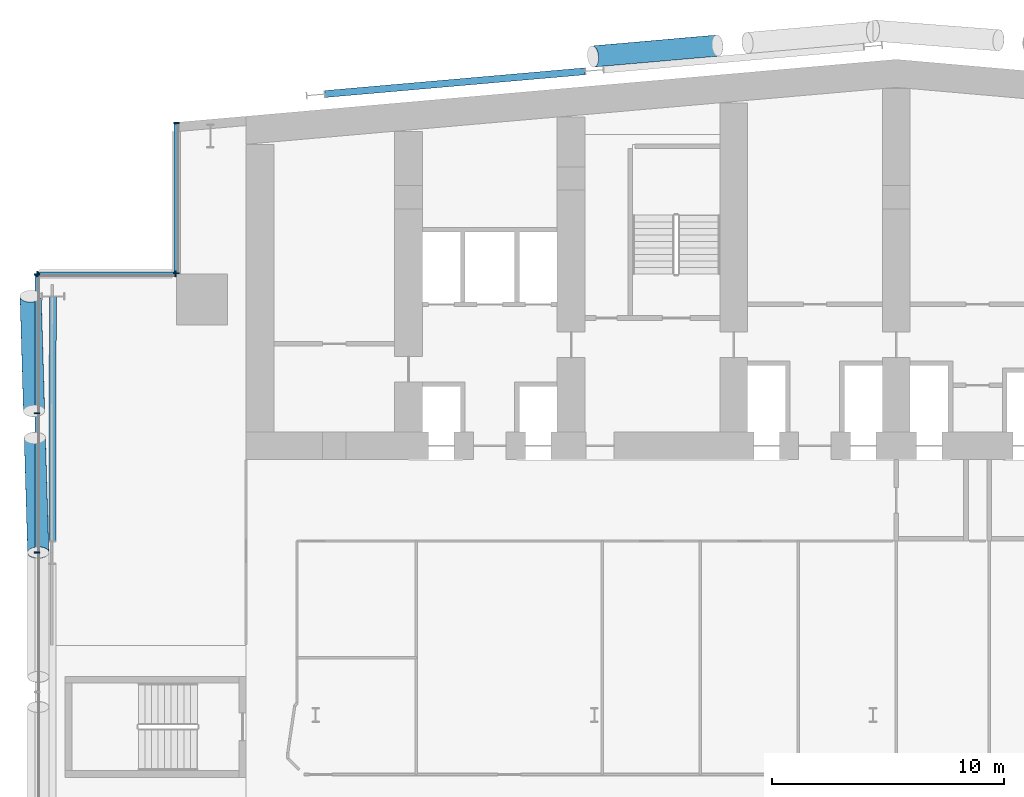
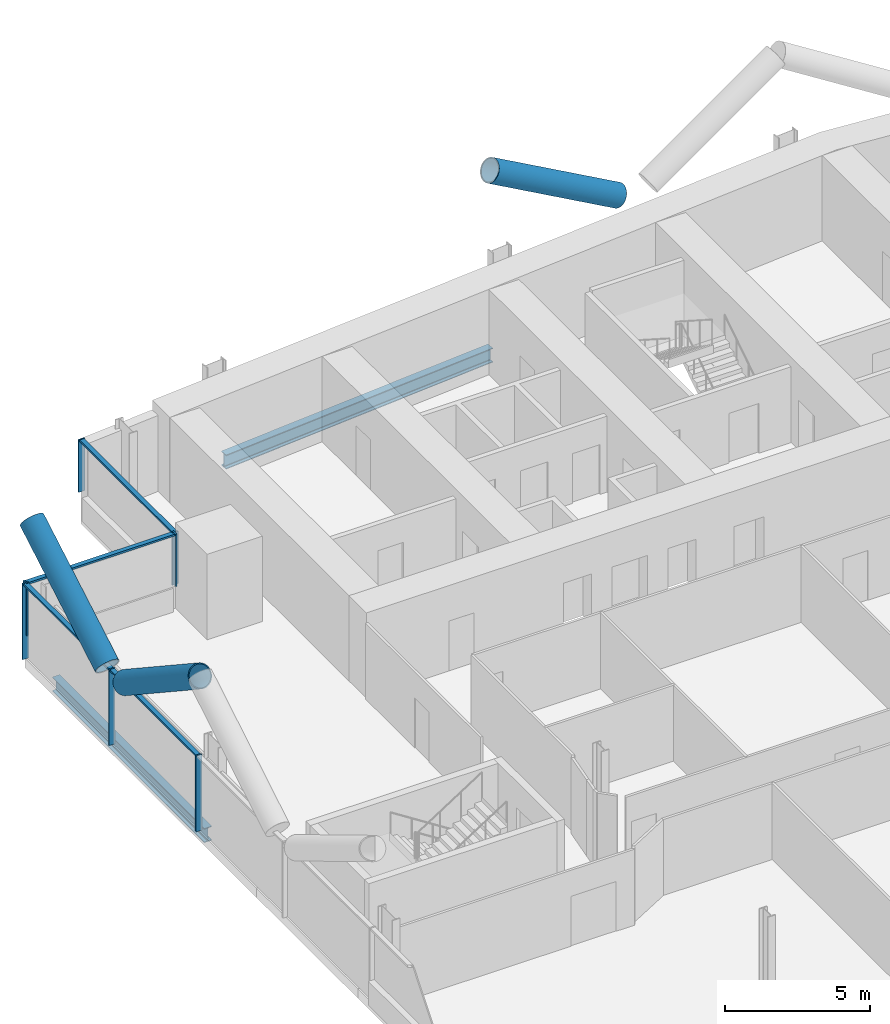
# One storey, part 7 of 27: 14 members, 2 beams, 3 elements without a shape of their own.
"""IFC4 building model written with IfcOpenShell, lengths in metres."""

from ifc_helpers import new_model, si_unit, direction, frame, origin, origin_2d, place, context, subcontext, project, spatial, rectangle, hollow_circle, i_section, extrude, material, material_profile, profile_set, type_object, element, aggregate, save


model = new_model("IFC4")

# Units and contexts
model_context = context("Model", 3, precision=1e-05, world=origin(), true_north=direction((0.0, 1.0)))
body_context = subcontext(model_context, "Body", "Model", "MODEL_VIEW")
ifc_project = project(units=[si_unit("LENGTHUNIT", "METRE"), si_unit("AREAUNIT", "SQUARE_METRE"), si_unit("VOLUMEUNIT", "CUBIC_METRE"), si_unit("PLANEANGLEUNIT", "RADIAN"), si_unit("MASSUNIT", "GRAM", prefix="KILO")], contexts=[model_context])

# Site, building, storey
site_placement = place(None, origin())
site = spatial("IfcSite", under=ifc_project, at=site_placement, CompositionType="ELEMENT")
building_placement = place(site_placement, origin())
building = spatial("IfcBuilding", under=site, at=building_placement, Name="Wharfspan Tower", CompositionType="ELEMENT")
storey_placement = place(building_placement, frame((0.0, 0.0, 55.899902)))
storey = spatial("IfcBuildingStorey", under=building, at=storey_placement, Name="L10", CompositionType="ELEMENT", Elevation=55.899902)

# Beams
ifc_material_1 = material(Name="Steel S355J2", Category="steel")
ifc_material_profile_1 = material_profile(ifc_material_1, i_section(OverallWidth=0.300049, OverallDepth=0.600098, WebThickness=0.015381, FlangeThickness=0.030029, FilletRadius=0.0271, at=origin_2d()))
ifc_profile_set_1 = profile_set([ifc_material_profile_1], Name="Steel S355J2")
beam_type = type_object("IfcBeamType", Name="Edge beam HEB 600", PredefinedType="SPANDREL", material=ifc_profile_set_1)
beam_1_placement = place(storey_placement, frame((23.598633, 50.724609, -0.699951), z_axis=(-0.996194, -0.087165, 0.0), x_axis=(0.087165, -0.996194, 0.0)))
element("IfcBeam", 1, at=beam_1_placement, inside=storey, type_object=beam_type, Name="Edge beam N1 L10 R.2 to R.1", PredefinedType="SPANDREL", context=body_context, shape_type="SweptSolid", body=[
    extrude(i_section(OverallWidth=0.300049, OverallDepth=0.600098, WebThickness=0.015381, FlangeThickness=0.030029, FilletRadius=0.0271, at=origin_2d()), origin(), (0.0, 0.0, 1.0), 11.23999),
])
beam_2_placement = place(storey_placement, frame((0.684814, 41.027832, -0.699951), z_axis=(-0.002249, -0.999997, 0.0), x_axis=(0.999997, -0.002249, 0.0)))
element("IfcBeam", 2, at=beam_2_placement, inside=storey, type_object=beam_type, Name="Edge beam W L10 PNRW-H.1 to PW.1", PredefinedType="SPANDREL", context=body_context, shape_type="SweptSolid", body=[
    extrude(i_section(OverallWidth=0.300049, OverallDepth=0.600098, WebThickness=0.015381, FlangeThickness=0.030029, FilletRadius=0.0271, at=origin_2d()), origin(), (0.0, 0.0, 1.0), 10.527832),
])

# Curtain wall, members
ifc_material_2 = material(Name="Aluminium 6063-T6", Category="aluminium")
curtain_wall_type = type_object("IfcCurtainWallType", Name="CURTAIN WALL PROW AND END", PredefinedType="NOTDEFINED", material=ifc_material_2)
curtain_wall_1_placement = place(storey_placement, origin())
curtain_wall_1 = element("IfcCurtainWall", 3, at=curtain_wall_1_placement, inside=storey, type_object=curtain_wall_type, Name="Curtain wall NRW-V", PredefinedType="NOTDEFINED")
ifc_material_profile_2 = material_profile(ifc_material_2, rectangle(XDim=0.23999, YDim=0.060059, at=origin_2d()))
ifc_profile_set_2 = profile_set([ifc_material_profile_2], Name="Aluminium 6063-T6")
member_type_1 = type_object("IfcMemberType", Name="MULLION PROW AND END 60x240", PredefinedType="MULLION", material=ifc_profile_set_2)
member_1_placement = place(storey_placement, frame((6.0, 48.494873, 1.0), z_axis=(0.0, 0.0, 1.0), x_axis=(1.0, 0.0, 0.0)))
member_1 = element("IfcMember", 4, at=member_1_placement, type_object=member_type_1, Name="Curtain wall NRW-V mullion 1", PredefinedType="MULLION", context=body_context, shape_type="SweptSolid", body=[
    extrude(rectangle(XDim=0.23999, YDim=0.060059, at=origin_2d()), origin(), (0.0, 0.0, 1.0), 2.200195),
])
member_2_placement = place(storey_placement, frame((6.0, 42.030029, 1.0), z_axis=(0.0, 0.0, 1.0), x_axis=(1.0, 0.0, 0.0)))
member_2 = element("IfcMember", 5, at=member_2_placement, type_object=member_type_1, Name="Curtain wall NRW-V mullion 2", PredefinedType="MULLION", context=body_context, shape_type="SweptSolid", body=[
    extrude(rectangle(XDim=0.23999, YDim=0.060059, at=origin_2d()), origin(), (0.0, 0.0, 1.0), 2.200195),
])

curtain_wall_2_placement = place(storey_placement, origin())
curtain_wall_2 = element("IfcCurtainWall", 6, at=curtain_wall_2_placement, inside=storey, type_object=curtain_wall_type, Name="Curtain wall NRW-H", PredefinedType="NOTDEFINED")
member_3_placement = place(storey_placement, frame((5.969971, 42.0, 1.0), z_axis=(0.0, 0.0, 1.0), x_axis=(0.0, -1.0, 0.0)))
member_3 = element("IfcMember", 7, at=member_3_placement, type_object=member_type_1, Name="Curtain wall NRW-H mullion 1", PredefinedType="MULLION", context=body_context, shape_type="SweptSolid", body=[
    extrude(rectangle(XDim=0.23999, YDim=0.060059, at=origin_2d()), origin(), (0.0, 0.0, 1.0), 2.200195),
])
member_4_placement = place(storey_placement, frame((0.030029, 42.0, 1.0), z_axis=(0.0, 0.0, 1.0), x_axis=(0.0, -1.0, 0.0)))
member_4 = element("IfcMember", 8, at=member_4_placement, type_object=member_type_1, Name="Curtain wall NRW-H mullion 2", PredefinedType="MULLION", context=body_context, shape_type="SweptSolid", body=[
    extrude(rectangle(XDim=0.23999, YDim=0.060059, at=origin_2d()), origin(), (0.0, 0.0, 1.0), 2.200195),
])

curtain_wall_3_placement = place(storey_placement, origin())
curtain_wall_3 = element("IfcCurtainWall", 9, at=curtain_wall_3_placement, inside=storey, type_object=curtain_wall_type, Name="Curtain wall W", PredefinedType="NOTDEFINED")
member_5_placement = place(storey_placement, frame((0.0, 41.969971, 0.0), z_axis=(0.0, 0.0, 1.0), x_axis=(1.0, 0.0, 0.0)))
member_5 = element("IfcMember", 10, at=member_5_placement, type_object=member_type_1, Name="Curtain wall W mullion 1", PredefinedType="MULLION", context=body_context, shape_type="SweptSolid", body=[
    extrude(rectangle(XDim=0.23999, YDim=0.060059, at=origin_2d()), origin(), (0.0, 0.0, 1.0), 3.200195),
])
member_6_placement = place(storey_placement, frame((0.0, 36.0, 0.0), z_axis=(0.0, 0.0, 1.0), x_axis=(1.0, 0.0, 0.0)))
member_6 = element("IfcMember", 11, at=member_6_placement, type_object=member_type_1, Name="Curtain wall W mullion 2", PredefinedType="MULLION", context=body_context, shape_type="SweptSolid", body=[
    extrude(rectangle(XDim=0.23999, YDim=0.060059, at=origin_2d()), origin(), (0.0, 0.0, 1.0), 3.200195),
])
member_7_placement = place(storey_placement, frame((0.0, 30.0, 0.0), z_axis=(0.0, 0.0, 1.0), x_axis=(1.0, 0.0, 0.0)))
member_7 = element("IfcMember", 12, at=member_7_placement, type_object=member_type_1, Name="Curtain wall W mullion 3", PredefinedType="MULLION", context=body_context, shape_type="SweptSolid", body=[
    extrude(rectangle(XDim=0.23999, YDim=0.060059, at=origin_2d()), origin(), (0.0, 0.0, 1.0), 3.200195),
])

# Members
ifc_material_3 = material(Name="Steel S460NH", Category="steel")
ifc_material_profile_3 = material_profile(ifc_material_3, hollow_circle(Radius=0.457031, WallThickness=0.040039, at=origin_2d()))
ifc_profile_set_3 = profile_set([ifc_material_profile_3], Name="Steel S460NH")
member_type_2 = type_object("IfcMemberType", Name="Mega brace CHS 914x40", PredefinedType="BRACE", material=ifc_profile_set_3)
for number, where, z_axis, x_axis, name in (
    (13, (-0.091797, 34.933594, 3.280762), (0.0249, -0.837221, 0.546298), (0.999556, 0.02973, 3e-06), "Mega brace W4 L10 part 2"),
    (14, (-0.126465, 36.100586, 3.280762), (-0.0249, 0.837221, 0.546298), (-0.999556, -0.02973, 3e-06), "Mega brace W4 L10 part 4"),
):
    element("IfcMember", number, at=place(storey_placement, frame(where, z_axis=z_axis, x_axis=x_axis)), inside=storey, type_object=member_type_2, Name=name, PredefinedType="BRACE", context=body_context, shape_type="SweptSolid", body=[
        extrude(hollow_circle(Radius=0.457031, WallThickness=0.040039, at=origin_2d()), origin(), (0.0, 0.0, 1.0), 5.892822),
    ])
member_8_placement = place(storey_placement, frame((29.296875, 51.831055, 3.290283), z_axis=(-0.855094, -0.074809, 0.513048), x_axis=(0.087154, -0.996195, 1e-06)))
element("IfcMember", 15, at=member_8_placement, inside=storey, type_object=member_type_2, Name="Mega brace N7 L10 part 4", PredefinedType="BRACE", context=body_context, shape_type="SweptSolid", body=[
    extrude(hollow_circle(Radius=0.457031, WallThickness=0.040039, at=origin_2d()), origin(), (0.0, 0.0, 1.0), 6.256104),
])

# Member
ifc_material_profile_4 = material_profile(ifc_material_2, rectangle(XDim=0.179932, YDim=0.080078, at=origin_2d()))
ifc_profile_set_4 = profile_set([ifc_material_profile_4], Name="Aluminium 6063-T6")
member_type_3 = type_object("IfcMemberType", Name="TRANSOM PROW AND END 80x180", PredefinedType="USERDEFINED", material=ifc_profile_set_4)
member_9_placement = place(storey_placement, frame((6.0, 48.464844, 3.160156), z_axis=(0.0, -1.0, 0.0), x_axis=(1.0, 0.0, 0.0)))
member_9 = element("IfcMember", 16, at=member_9_placement, type_object=member_type_3, Name="Curtain wall NRW-V transom 1", ObjectType="TRANSOM", PredefinedType="USERDEFINED", context=body_context, shape_type="SweptSolid", body=[
    extrude(rectangle(XDim=0.179932, YDim=0.080078, at=origin_2d()), origin(), (0.0, 0.0, 1.0), 6.404785),
])

aggregate(curtain_wall_1, [member_1, member_2, member_9])

member_10_placement = place(storey_placement, frame((5.939941, 42.0, 3.160156), z_axis=(-1.0, 0.0, 0.0), x_axis=(0.0, -1.0, 0.0)))
member_10 = element("IfcMember", 17, at=member_10_placement, type_object=member_type_3, Name="Curtain wall NRW-H transom 1", ObjectType="TRANSOM", PredefinedType="USERDEFINED", context=body_context, shape_type="SweptSolid", body=[
    extrude(rectangle(XDim=0.179932, YDim=0.080078, at=origin_2d()), origin(), (0.0, 0.0, 1.0), 5.879883),
])

aggregate(curtain_wall_2, [member_3, member_4, member_10])

member_11_placement = place(storey_placement, frame((0.0, 41.939941, 3.160156), z_axis=(0.0, -1.0, 0.0), x_axis=(1.0, 0.0, 0.0)))
member_11 = element("IfcMember", 18, at=member_11_placement, type_object=member_type_3, Name="Curtain wall W transom 1", ObjectType="TRANSOM", PredefinedType="USERDEFINED", context=body_context, shape_type="SweptSolid", body=[
    extrude(rectangle(XDim=0.179932, YDim=0.080078, at=origin_2d()), origin(), (0.0, 0.0, 1.0), 5.909912),
])

member_12_placement = place(storey_placement, frame((0.0, 35.969971, 3.160156), z_axis=(0.0, -1.0, 0.0), x_axis=(1.0, 0.0, 0.0)))
member_12 = element("IfcMember", 19, at=member_12_placement, type_object=member_type_3, Name="Curtain wall W transom 2", ObjectType="TRANSOM", PredefinedType="USERDEFINED", context=body_context, shape_type="SweptSolid", body=[
    extrude(rectangle(XDim=0.179932, YDim=0.080078, at=origin_2d()), origin(), (0.0, 0.0, 1.0), 5.939941),
])

aggregate(curtain_wall_3, [member_5, member_6, member_7, member_11, member_12])

save(model, "model.ifc")
